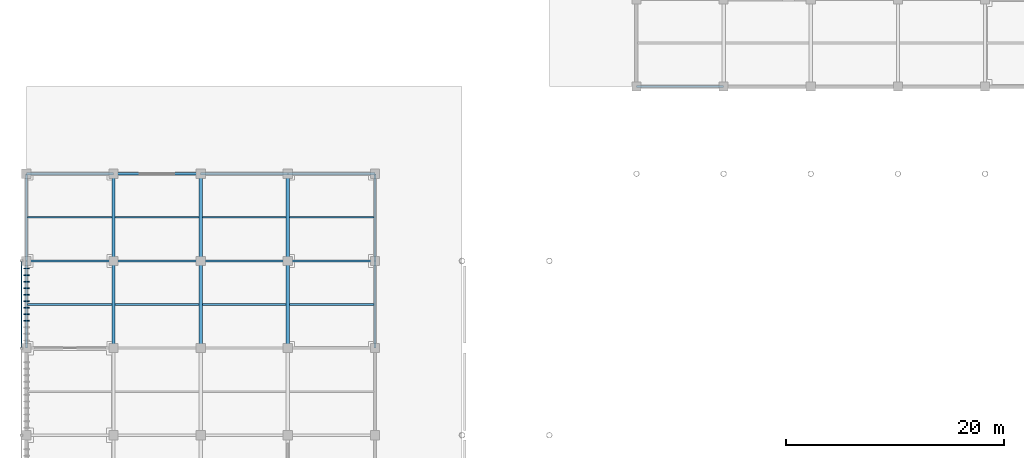
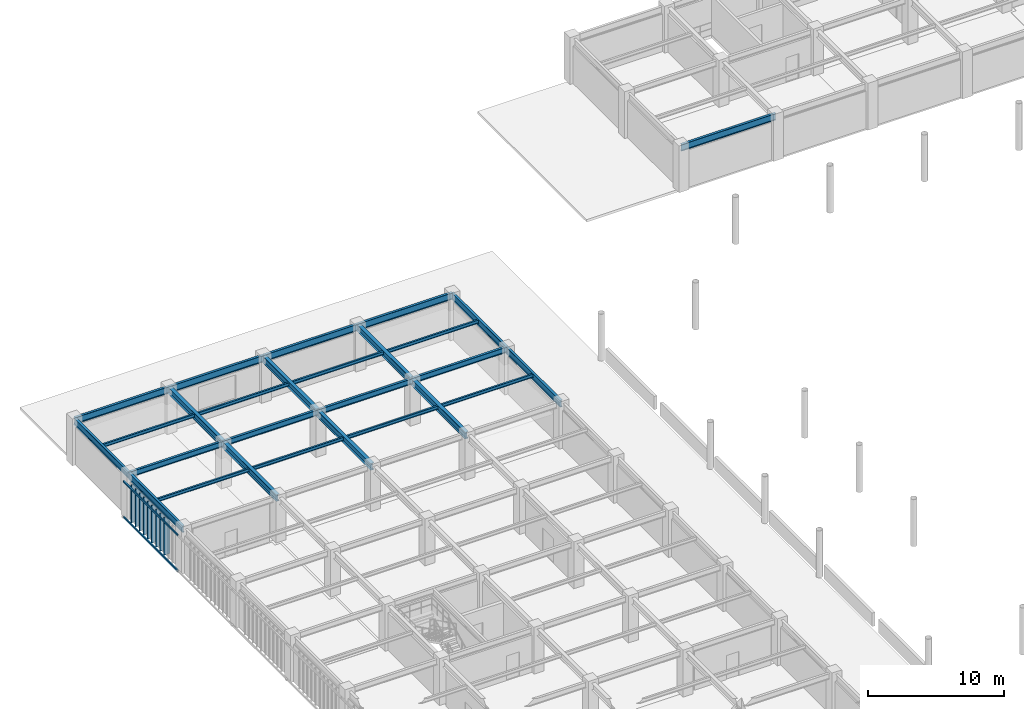
# One storey, part 36 of 78: 27 beams, 11 members.
"""IFC4 building model written with IfcOpenShell, lengths in metres."""

from ifc_helpers import new_model, si_unit, direction, frame, origin, origin_2d, place, context, subcontext, project, spatial, rectangle, hollow_rectangle, i_section, extrude, material, material_profile, profile_set, type_object, element, save


model = new_model("IFC4")

# Units and contexts
model_context = context("Model", 3, precision=1e-05, world=origin(), true_north=direction((0.0, 1.0)))
body_context = subcontext(model_context, "Body", "Model", "MODEL_VIEW")
ifc_project = project(units=[si_unit("LENGTHUNIT", "METRE"), si_unit("AREAUNIT", "SQUARE_METRE"), si_unit("VOLUMEUNIT", "CUBIC_METRE"), si_unit("PLANEANGLEUNIT", "RADIAN"), si_unit("MASSUNIT", "GRAM", prefix="KILO")], contexts=[model_context])

# Site, building, storey
site_placement = place(None, origin())
site = spatial("IfcSite", under=ifc_project, at=site_placement, CompositionType="ELEMENT")
building_placement = place(site_placement, origin())
building = spatial("IfcBuilding", under=site, at=building_placement, Name="Haebicheon Civic Stadium", CompositionType="ELEMENT")
storey_placement = place(building_placement, frame((0.0, 0.0, 18.60009765625)))
storey = spatial("IfcBuildingStorey", under=building, at=storey_placement, Name="L05", CompositionType="ELEMENT", Elevation=18.60009765625)

# Beams
ifc_material_1 = material(Name="Steel SM355 (S355)", Category="steel")
ifc_material_profile_1 = material_profile(ifc_material_1, i_section(OverallWidth=0.199951171875, OverallDepth=0.5, WebThickness=0.010009765625, FlangeThickness=0.01611328125, at=origin_2d()), Name="H-500x200x10x16")
ifc_profile_set_1 = profile_set([ifc_material_profile_1], Name="Steel SM355 (S355)")
beam_type_1 = type_object("IfcBeamType", Name="BM-ST-H500", PredefinedType="BEAM", material=ifc_profile_set_1)
for number, where, z_axis, x_axis, name in (
    (1, (24.0, 136.0, 3.699951171875), (1.0, 0.0, 0.0), (0.0, 1.0, 0.0), "L05 beam T/4-5"),
    (2, (32.0, 136.0, 3.699951171875), (1.0, 0.0, 0.0), (0.0, 1.0, 0.0), "L05 beam T/5-6"),
    (3, (40.0, 136.0, 3.699951171875), (1.0, 0.0, 0.0), (0.0, 1.0, 0.0), "L05 beam T/6-7"),
    (4, (48.0, 136.0, 3.72998046875), (1.0, 0.0, 0.0), (0.0, 1.0, 0.0), "L05 beam T/7-8"),
):
    element("IfcBeam", number, at=place(storey_placement, frame(where, z_axis=z_axis, x_axis=x_axis)), inside=storey, type_object=beam_type_1, material=ifc_profile_set_1, Name=name, PredefinedType="BEAM", context=body_context, shape_type="SweptSolid", body=[
        extrude(i_section(OverallWidth=0.199951171875, OverallDepth=0.5, WebThickness=0.010009765625, FlangeThickness=0.01611328125, at=origin_2d()), origin(), (0.0, 0.0, 1.0), 8.0),
    ])
ifc_material_2 = material(Name="Steel SM355 (S355)", Category="steel")
ifc_material_profile_2 = material_profile(ifc_material_2, i_section(OverallWidth=0.300048828125, OverallDepth=0.60009765625, WebThickness=0.011962890625, FlangeThickness=0.02001953125, at=origin_2d()), Name="H-600x300x12x20")
ifc_profile_set_2 = profile_set([ifc_material_profile_2], Name="Steel SM355 (S355)")
beam_type_2 = type_object("IfcBeamType", Name="BM-ST-H600A", PredefinedType="BEAM", material=ifc_profile_set_2)
for number, where, z_axis, x_axis, name in (
    (5, (32.0, 128.0, 3.64990234375), (0.0, 1.0, 0.0), (-1.0, 0.0, 0.0), "L05 girder 5/S-T"),
    (6, (32.0, 136.0, 3.679931640625), (0.0, 1.0, 0.0), (-1.0, 0.0, 0.0), "L05 girder 5/T-U"),
    (7, (40.0, 128.0, 3.64990234375), (0.0, 1.0, 0.0), (-1.0, 0.0, 0.0), "L05 girder 6/S-T"),
    (8, (40.0, 136.0, 3.679931640625), (0.0, 1.0, 0.0), (-1.0, 0.0, 0.0), "L05 girder 6/T-U"),
    (9, (48.0, 128.0, 3.64990234375), (0.0, 1.0, 0.0), (-1.0, 0.0, 0.0), "L05 girder 7/S-T"),
    (10, (48.0, 136.0, 3.679931640625), (0.0, 1.0, 0.0), (-1.0, 0.0, 0.0), "L05 girder 7/T-U"),
):
    element("IfcBeam", number, at=place(storey_placement, frame(where, z_axis=z_axis, x_axis=x_axis)), inside=storey, type_object=beam_type_2, material=ifc_profile_set_2, Name=name, PredefinedType="BEAM", context=body_context, shape_type="SweptSolid", body=[
        extrude(i_section(OverallWidth=0.300048828125, OverallDepth=0.60009765625, WebThickness=0.011962890625, FlangeThickness=0.02001953125, at=origin_2d()), origin(), (0.0, 0.0, 1.0), 8.0),
    ])
ifc_material_3 = material(Name="Steel SM355 (S355)", Category="steel")
ifc_material_profile_3 = material_profile(ifc_material_3, i_section(OverallWidth=0.14990234375, OverallDepth=0.300048828125, WebThickness=0.006591796875, FlangeThickness=0.009033203125, at=origin_2d()), Name="H-300x150x6.5x9")
ifc_profile_set_3 = profile_set([ifc_material_profile_3], Name="Steel SM355 (S355)")
beam_type_3 = type_object("IfcBeamType", Name="JST-ST-H300", PredefinedType="JOIST", material=ifc_profile_set_3)
for number, where, z_axis, x_axis, name in (
    (11, (24.10009765625, 132.0, 3.7998046875), (1.0, 0.0, 0.0), (0.0, 1.0, 0.0), "L05 secondary joist 03-16"),
    (12, (24.10009765625, 140.0, 3.829833984375), (1.0, 0.0, 0.0), (0.0, 1.0, 0.0), "L05 secondary joist 03-17"),
):
    element("IfcBeam", number, at=place(storey_placement, frame(where, z_axis=z_axis, x_axis=x_axis)), inside=storey, type_object=beam_type_3, material=ifc_profile_set_3, Name=name, PredefinedType="JOIST", context=body_context, shape_type="SweptSolid", body=[
        extrude(i_section(OverallWidth=0.14990234375, OverallDepth=0.300048828125, WebThickness=0.006591796875, FlangeThickness=0.009033203125, at=origin_2d()), origin(), (0.0, 0.0, 1.0), 7.75),
    ])
for number, where, z_axis, x_axis, name in (
    (13, (32.14990234375, 132.0, 3.7998046875), (1.0, 0.0, 0.0), (0.0, 1.0, 0.0), "L05 secondary joist 04-16"),
    (14, (32.14990234375, 140.0, 3.829833984375), (1.0, 0.0, 0.0), (0.0, 1.0, 0.0), "L05 secondary joist 04-17"),
    (15, (40.14990234375, 132.0, 3.7998046875), (1.0, 0.0, 0.0), (0.0, 1.0, 0.0), "L05 secondary joist 05-16"),
    (16, (40.14990234375, 140.0, 3.829833984375), (1.0, 0.0, 0.0), (0.0, 1.0, 0.0), "L05 secondary joist 05-17"),
):
    element("IfcBeam", number, at=place(storey_placement, frame(where, z_axis=z_axis, x_axis=x_axis)), inside=storey, type_object=beam_type_3, material=ifc_profile_set_3, Name=name, PredefinedType="JOIST", context=body_context, shape_type="SweptSolid", body=[
        extrude(i_section(OverallWidth=0.14990234375, OverallDepth=0.300048828125, WebThickness=0.006591796875, FlangeThickness=0.009033203125, at=origin_2d()), origin(), (0.0, 0.0, 1.0), 7.7001953125),
    ])
for number, where, z_axis, x_axis, name in (
    (17, (48.14990234375, 132.0, 3.829833984375), (1.0, 0.0, 0.0), (0.0, 1.0, 0.0), "L05 secondary joist 06-16"),
    (18, (48.14990234375, 140.0, 3.829833984375), (1.0, 0.0, 0.0), (0.0, 1.0, 0.0), "L05 secondary joist 06-17"),
):
    element("IfcBeam", number, at=place(storey_placement, frame(where, z_axis=z_axis, x_axis=x_axis)), inside=storey, type_object=beam_type_3, material=ifc_profile_set_3, Name=name, PredefinedType="JOIST", context=body_context, shape_type="SweptSolid", body=[
        extrude(i_section(OverallWidth=0.14990234375, OverallDepth=0.300048828125, WebThickness=0.006591796875, FlangeThickness=0.009033203125, at=origin_2d()), origin(), (0.0, 0.0, 1.0), 7.75),
    ])

# Members
ifc_material_4 = material(Name="Acetylated timber GL28h", Category="wood")
ifc_material_profile_4 = material_profile(ifc_material_4, rectangle(XDim=0.080078125, YDim=0.52001953125, at=origin_2d()), Name="TMB-LOUV-80x520")
ifc_profile_set_4 = profile_set([ifc_material_profile_4], Name="Acetylated timber GL28h")
member_type_1 = type_object("IfcMemberType", Name="LVR-TIM-520x80", PredefinedType="PLATE", material=ifc_profile_set_4)
for number, where, z_axis, x_axis, name in (
    (19, (24.02001953125, 130.5, -0.1201171875), (0.0, 0.0, 1.0), (0.0, 1.0, 0.0), "SCR-WEST L05 acetylated timber storm louvre fin 11.4"),
    (20, (24.02001953125, 131.10009765625, -0.1201171875), (0.0, 0.0, 1.0), (0.0, 1.0, 0.0), "SCR-WEST L05 acetylated timber storm louvre fin 11.5"),
    (21, (24.02001953125, 131.699951171875, -0.1201171875), (0.0, 0.0, 1.0), (0.0, 1.0, 0.0), "SCR-WEST L05 acetylated timber storm louvre fin 11.6"),
    (22, (24.02001953125, 132.300048828125, -0.1201171875), (0.0, 0.0, 1.0), (0.0, 1.0, 0.0), "SCR-WEST L05 acetylated timber storm louvre fin 11.7"),
    (23, (24.02001953125, 132.89990234375, -0.1201171875), (0.0, 0.0, 1.0), (0.0, 1.0, 0.0), "SCR-WEST L05 acetylated timber storm louvre fin 11.8"),
    (24, (24.02001953125, 133.5, -0.1201171875), (0.0, 0.0, 1.0), (0.0, 1.0, 0.0), "SCR-WEST L05 acetylated timber storm louvre fin 11.9"),
    (25, (24.02001953125, 134.10009765625, -0.1201171875), (0.0, 0.0, 1.0), (0.0, 1.0, 0.0), "SCR-WEST L05 acetylated timber storm louvre fin 11.10"),
    (26, (24.02001953125, 134.699951171875, -0.1201171875), (0.0, 0.0, 1.0), (0.0, 1.0, 0.0), "SCR-WEST L05 acetylated timber storm louvre fin 11.11"),
    (27, (24.02001953125, 135.300048828125, -0.1201171875), (0.0, 0.0, 1.0), (0.0, 1.0, 0.0), "SCR-WEST L05 acetylated timber storm louvre fin 11.12"),
):
    element("IfcMember", number, at=place(storey_placement, frame(where, z_axis=z_axis, x_axis=x_axis)), inside=storey, type_object=member_type_1, material=ifc_profile_set_4, Name=name, PredefinedType="PLATE", context=body_context, shape_type="SweptSolid", body=[
        extrude(rectangle(XDim=0.080078125, YDim=0.52001953125, at=origin_2d()), origin(), (0.0, 0.0, 1.0), 3.3701171875),
    ])

# Beams
ifc_material_5 = material(Name="Steel SM355 (S355)", Category="steel")
ifc_material_profile_5 = material_profile(ifc_material_5, i_section(OverallWidth=0.199951171875, OverallDepth=0.60009765625, WebThickness=0.010986328125, FlangeThickness=0.01708984375, at=origin_2d()), Name="H-600x200x11x17")
ifc_profile_set_5 = profile_set([ifc_material_profile_5], Name="Steel SM355 (S355)")
beam_type_4 = type_object("IfcBeamType", Name="SPD-ST-H600B", PredefinedType="SPANDREL", material=ifc_profile_set_5)
for number, where, z_axis, x_axis, name in (
    (28, (24.0, 128.0, 3.64990234375), (0.0, 1.0, 0.0), (-1.0, 0.0, 0.0), "L05 girder 4/S-T"),
    (29, (24.0, 136.0, 3.679931640625), (0.0, 1.0, 0.0), (-1.0, 0.0, 0.0), "L05 girder 4/T-U"),
    (30, (56.0, 128.0, 3.679931640625), (0.0, 1.0, 0.0), (-1.0, 0.0, 0.0), "L05 girder 8/S-T"),
    (31, (56.0, 136.0, 3.679931640625), (0.0, 1.0, 0.0), (-1.0, 0.0, 0.0), "L05 girder 8/T-U"),
    (32, (24.0, 144.0, 3.679931640625), (1.0, 0.0, 0.0), (0.0, 1.0, 0.0), "L05 beam U/4-5"),
    (33, (32.0, 144.0, 3.679931640625), (1.0, 0.0, 0.0), (0.0, 1.0, 0.0), "L05 beam U/5-6"),
    (34, (40.0, 144.0, 3.679931640625), (1.0, 0.0, 0.0), (0.0, 1.0, 0.0), "L05 beam U/6-7"),
    (35, (48.0, 144.0, 3.679931640625), (1.0, 0.0, 0.0), (0.0, 1.0, 0.0), "L05 beam U/7-8"),
    (36, (80.0, 152.0, 3.679931640625), (1.0, 0.0, 0.0), (0.0, 1.0, 0.0), "L05 beam V/11-12"),
):
    element("IfcBeam", number, at=place(storey_placement, frame(where, z_axis=z_axis, x_axis=x_axis)), inside=storey, type_object=beam_type_4, material=ifc_profile_set_5, Name=name, PredefinedType="SPANDREL", context=body_context, shape_type="SweptSolid", body=[
        extrude(i_section(OverallWidth=0.199951171875, OverallDepth=0.60009765625, WebThickness=0.010986328125, FlangeThickness=0.01708984375, at=origin_2d()), origin(), (0.0, 0.0, 1.0), 8.0),
    ])

# Members
ifc_material_6 = material(Name="Steel SM355 (S355)", Category="steel")
ifc_material_profile_6 = material_profile(ifc_material_6, hollow_rectangle(XDim=0.10009765625, YDim=0.14990234375, WallThickness=0.006103515625, at=origin_2d()), Name="RHS-150x100x6.0")
ifc_profile_set_6 = profile_set([ifc_material_profile_6], Name="Steel SM355 (S355)")
member_type_2 = type_object("IfcMemberType", Name="SUB-RHS150", PredefinedType="STRINGER", material=ifc_profile_set_6)
for number, where, z_axis, x_axis, name in (
    (37, (23.534912109375, 128.0, 0.059814453125), (0.0, 1.0, 0.0), (-1.0, 0.0, 0.0), "SCR-WEST L05 storm-louvre bottom carrier rail 11"),
    (38, (23.534912109375, 128.0, 3.25), (0.0, 1.0, 0.0), (-1.0, 0.0, 0.0), "SCR-WEST L05 storm-louvre top carrier rail 11"),
):
    element("IfcMember", number, at=place(storey_placement, frame(where, z_axis=z_axis, x_axis=x_axis)), inside=storey, type_object=member_type_2, material=ifc_profile_set_6, Name=name, PredefinedType="STRINGER", context=body_context, shape_type="SweptSolid", body=[
        extrude(hollow_rectangle(XDim=0.10009765625, YDim=0.14990234375, WallThickness=0.006103515625, at=origin_2d()), origin(), (0.0, 0.0, 1.0), 8.0),
    ])

save(model, "model.ifc")
